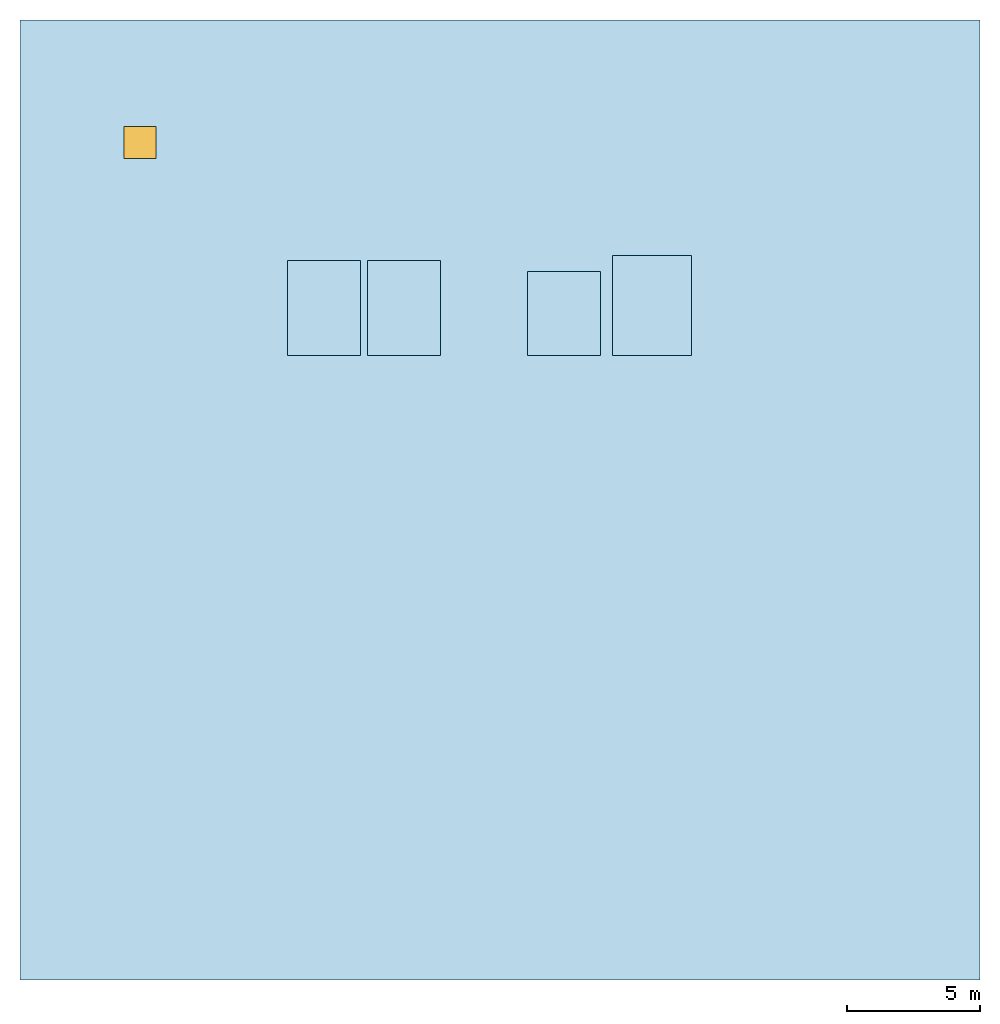
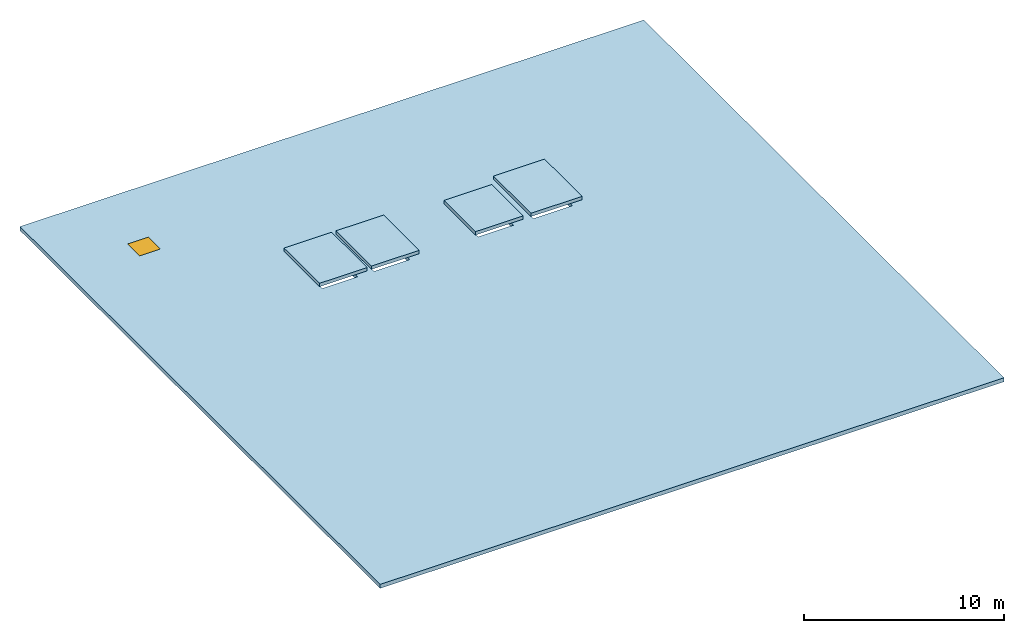
"""IFC4 building model written with IfcOpenShell, lengths in metres."""

from ifc_helpers import new_model, si_unit, direction, frame, origin, origin_2d, place, context, subcontext, project, spatial, polyline, rectangle, outline, extrude, material, layer, layer_set, type_object, element, fill, save


model = new_model("IFC4")

# Units and contexts
model_context = context("Model", 3, precision=1e-05, world=origin(), true_north=direction((0.0, 1.0)))
body_context = subcontext(model_context, "Body", "Model", "MODEL_VIEW")
ifc_project = project(units=[si_unit("LENGTHUNIT", "METRE"), si_unit("AREAUNIT", "SQUARE_METRE"), si_unit("VOLUMEUNIT", "CUBIC_METRE"), si_unit("PLANEANGLEUNIT", "RADIAN"), si_unit("MASSUNIT", "GRAM", prefix="KILO")], contexts=[model_context])

# Site, building, storey
site_placement = place(None, origin())
site = spatial("IfcSite", under=ifc_project, at=site_placement, CompositionType="ELEMENT")
building_placement = place(site_placement, origin())
building = spatial("IfcBuilding", under=site, at=building_placement, Name="Kazanami Central Library", CompositionType="ELEMENT")
storey_1_placement = place(building_placement, frame((0.0, 0.0, 35.199951171875)))
storey_1 = spatial("IfcBuildingStorey", under=building, at=storey_1_placement, Name="ROOF", CompositionType="ELEMENT", Elevation=35.199951171875)

# Slabs
ifc_material_1 = material(Name="Concrete Fc36 (36 MPa)", Category="concrete")
ifc_layer_1 = layer(ifc_material_1, 0.205078125, Name="Concrete Fc36 (36 MPa)")
ifc_layer_set_1 = layer_set([ifc_layer_1], Name="Concrete Fc36 (36 MPa)")
slab_type_1 = type_object("IfcSlabType", Name="SLB-OV-205", PredefinedType="ROOF", material=ifc_layer_set_1)
slab_1_placement = place(storey_1_placement, frame((0.0, 0.0, 0.449951171875)))
element("IfcSlab", 1, at=slab_1_placement, inside=storey_1, type_object=slab_type_1, Name="Lift Overrun Roof Slab EL-F1", PredefinedType="ROOF", context=body_context, shape_type="SweptSolid", body=[
    extrude(outline(polyline([(136.02490234375, 81.02490234375), (138.77490234375, 81.02490234375), (138.77490234375, 84.574951171875), (136.02490234375, 84.574951171875), (136.02490234375, 81.02490234375)])), origin(), (0.0, 0.0, 1.0), 0.205078125),
])
slab_2_placement = place(storey_1_placement, frame((0.0, 0.0, 0.449951171875)))
element("IfcSlab", 2, at=slab_2_placement, inside=storey_1, type_object=slab_type_1, Name="Lift Overrun Roof Slab EL-F2", PredefinedType="ROOF", context=body_context, shape_type="SweptSolid", body=[
    extrude(outline(polyline([(139.02490234375, 81.02490234375), (141.77490234375, 81.02490234375), (141.77490234375, 84.574951171875), (139.02490234375, 84.574951171875), (139.02490234375, 81.02490234375)])), origin(), (0.0, 0.0, 1.0), 0.205078125),
])
slab_3_placement = place(storey_1_placement, frame((0.0, 0.0, 0.449951171875)))
element("IfcSlab", 3, at=slab_3_placement, inside=storey_1, type_object=slab_type_1, Name="Lift Overrun Roof Slab EL-P1", PredefinedType="ROOF", context=body_context, shape_type="SweptSolid", body=[
    extrude(outline(polyline([(145.02490234375, 81.02490234375), (147.77490234375, 81.02490234375), (147.77490234375, 84.175048828125), (145.02490234375, 84.175048828125), (145.02490234375, 81.02490234375)])), origin(), (0.0, 0.0, 1.0), 0.205078125),
])
slab_4_placement = place(storey_1_placement, frame((0.0, 0.0, 0.449951171875)))
element("IfcSlab", 4, at=slab_4_placement, inside=storey_1, type_object=slab_type_1, Name="Lift Overrun Roof Slab EL-S1", PredefinedType="ROOF", context=body_context, shape_type="SweptSolid", body=[
    extrude(outline(polyline([(148.22509765625, 81.02490234375), (151.175048828125, 81.02490234375), (151.175048828125, 84.77490234375), (148.22509765625, 84.77490234375), (148.22509765625, 81.02490234375)])), origin(), (0.0, 0.0, 1.0), 0.205078125),
])

# Slab, opening
ifc_layer_2 = layer(ifc_material_1, 0.239990234375, Name="Concrete Fc36 (36 MPa)")
ifc_layer_set_2 = layer_set([ifc_layer_2], Name="Concrete Fc36 (36 MPa)")
slab_type_2 = type_object("IfcSlabType", Name="SLB-ROOF-240", PredefinedType="ROOF", material=ifc_layer_set_2)
slab_5_placement = place(storey_1_placement, frame((0.0, 0.0, -0.239990234375)))
slab_5 = element("IfcSlab", 5, at=slab_5_placement, inside=storey_1, type_object=slab_type_2, Name="Structural Roof Slab ROOF-L09-V2", PredefinedType="ROOF", context=body_context, shape_type="SweptSolid", body=[
    extrude(outline(polyline([(126.0, 57.60009765625), (162.0, 57.60009765625), (162.0, 93.60009765625), (126.0, 93.60009765625), (126.0, 57.60009765625)]), holes=[polyline([(136.375, 81.375), (138.425048828125, 81.375), (138.425048828125, 84.22509765625), (136.375, 84.22509765625), (136.375, 81.375)]), polyline([(139.375, 81.375), (141.425048828125, 81.375), (141.425048828125, 84.22509765625), (139.375, 84.22509765625), (139.375, 81.375)]), polyline([(145.375, 81.375), (147.425048828125, 81.375), (147.425048828125, 83.824951171875), (145.375, 83.824951171875), (145.375, 81.375)]), polyline([(148.574951171875, 81.375), (150.824951171875, 81.375), (150.824951171875, 84.425048828125), (148.574951171875, 84.425048828125), (148.574951171875, 81.375)])]), origin(), (0.0, 0.0, 1.0), 0.239990234375),
])
opening_placement = place(slab_5_placement, frame((130.5, 89.0, -0.011962890625)))
opening = element("IfcOpeningElement", 6, at=opening_placement, cuts=slab_5, Name="Opening SK-HT", PredefinedType="OPENING", context=body_context, shape_type="SweptSolid", body=[
    extrude(rectangle(XDim=1.199951171875, YDim=1.199951171875, at=origin_2d()), origin(), (0.0, 0.0, 1.0), 0.263916015625),
])

# Storey
storey_2_placement = place(building_placement, frame((0.0, 0.0, 31.39990234375)))
storey_2 = spatial("IfcBuildingStorey", under=building, at=storey_2_placement, Name="L09", CompositionType="ELEMENT", Elevation=31.39990234375)

# Window
ifc_material_2 = material(Name="Low-E Insulated Triple Glass", Category="glass")
window_type = type_object("IfcWindowType", Name="WIN-SK-HT", PartitioningType="SINGLE_PANEL", PredefinedType="SKYLIGHT", material=ifc_material_2)
window_placement = place(slab_5_placement, frame((130.5, 89.0, 0.179931640625)))
window = element("IfcWindow", 7, at=window_placement, inside=storey_2, type_object=window_type, Name="Archive Wing Roof Maintenance Access Hatch", OverallHeight=1.199951171875, OverallWidth=1.199951171875, PartitioningType="SINGLE_PANEL", PredefinedType="SKYLIGHT", context=body_context, shape_type="SweptSolid", body=[
    extrude(rectangle(XDim=1.199951171875, YDim=1.199951171875, at=origin_2d()), origin(), (0.0, 0.0, 1.0), 0.06005859375),
])

fill(opening, window)

save(model, "model.ifc")
